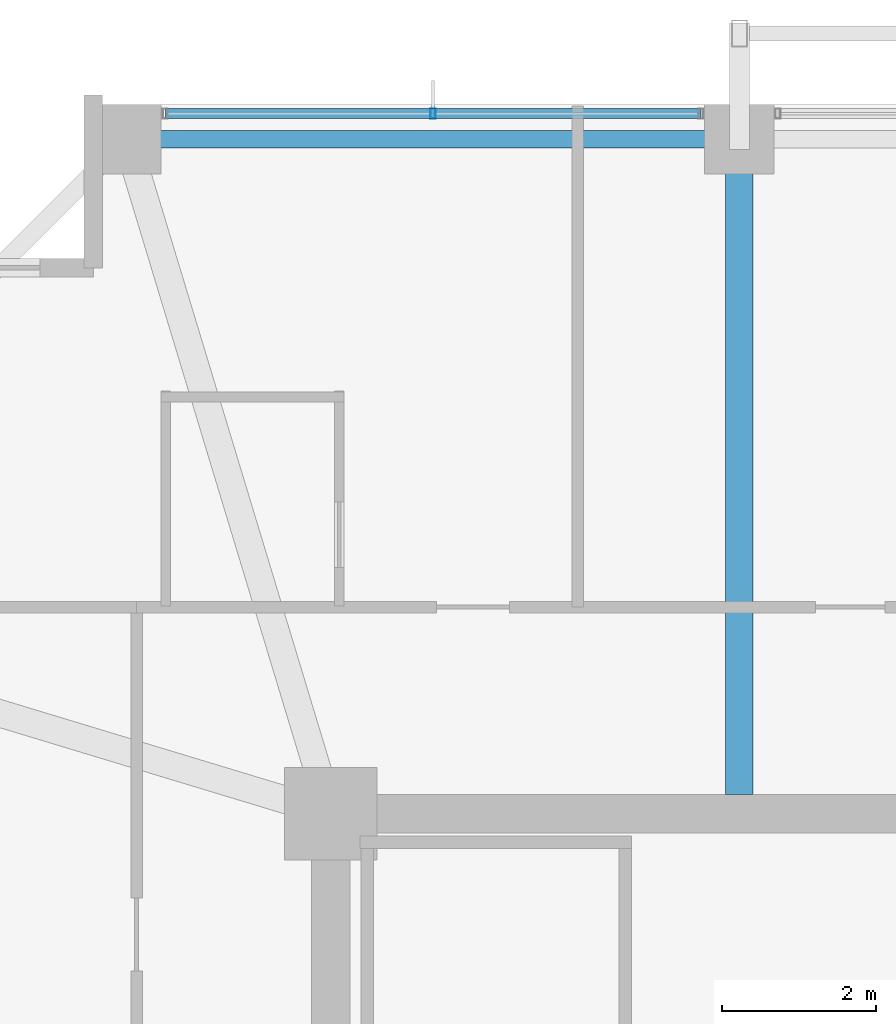
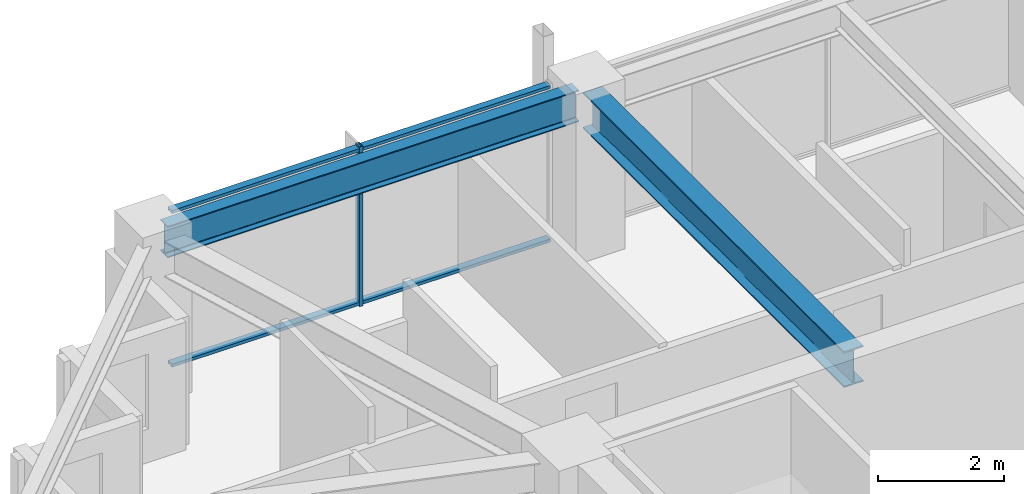
# One storey, part 20 of 37: 3 members, 2 beams, 1 element without a shape of its own.
"""IFC4 building model written with IfcOpenShell, lengths in metres."""

from ifc_helpers import new_model, si_unit, direction, frame, origin, origin_2d, place, context, subcontext, project, spatial, hollow_rectangle, i_section, extrude, material, material_profile, profile_set, type_object, element, aggregate, save


model = new_model("IFC4")

# Units and contexts
model_context = context("Model", 3, precision=1e-05, world=origin(), true_north=direction((0.0, 1.0)))
body_context = subcontext(model_context, "Body", "Model", "MODEL_VIEW")
ifc_project = project(units=[si_unit("LENGTHUNIT", "METRE"), si_unit("AREAUNIT", "SQUARE_METRE"), si_unit("VOLUMEUNIT", "CUBIC_METRE"), si_unit("PLANEANGLEUNIT", "RADIAN"), si_unit("MASSUNIT", "GRAM", prefix="KILO")], contexts=[model_context])

# Site, building, storey
site_placement = place(None, origin())
site = spatial("IfcSite", under=ifc_project, at=site_placement, CompositionType="ELEMENT")
building_placement = place(site_placement, origin())
building = spatial("IfcBuilding", under=site, at=building_placement, Name="Kolvaren Belvedere", CompositionType="ELEMENT")
storey_placement = place(building_placement, frame((0.0, 0.0, 156.89990234375)))
storey = spatial("IfcBuildingStorey", under=building, at=storey_placement, Name="L45", CompositionType="ELEMENT", Elevation=156.89990234375)

# Beams
ifc_material_1 = material(Name="Structural steel ASTM A992 Grade 50", Category="steel")
ifc_material_profile_1 = material_profile(ifc_material_1, i_section(OverallWidth=0.35498046875, OverallDepth=0.696044921875, WebThickness=0.015380859375, FlangeThickness=0.02490234375, FilletRadius=0.02197265625, at=origin_2d()), Name="W27X146")
ifc_profile_set_1 = profile_set([ifc_material_profile_1], Name="Structural steel ASTM A992 Grade 50")
beam_type_1 = type_object("IfcBeamType", Name="BM-GIRD-W27X146", PredefinedType="BEAM", material=ifc_profile_set_1)
beam_1_placement = place(storey_placement, frame((-4.60009765625, 10.14990234375, 2.752197265625), z_axis=(0.0, 1.0, 0.0), x_axis=(-1.0, 0.0, 0.0)))
element("IfcBeam", 1, at=beam_1_placement, inside=storey, type_object=beam_type_1, Name="L45 North Radial Girder M", PredefinedType="BEAM", context=body_context, shape_type="SweptSolid", body=[
    extrude(i_section(OverallWidth=0.35498046875, OverallDepth=0.696044921875, WebThickness=0.015380859375, FlangeThickness=0.02490234375, FilletRadius=0.02197265625, at=origin_2d()), origin(), (0.0, 0.0, 1.0), 8.297607421875),
])
ifc_material_2 = material(Name="Structural steel ASTM A992 Grade 50", Category="steel")
ifc_material_profile_2 = material_profile(ifc_material_2, i_section(OverallWidth=0.22900390625, OverallDepth=0.612060546875, WebThickness=0.011962890625, FlangeThickness=0.01953125, FilletRadius=0.01806640625, at=origin_2d()), Name="W24X84")
ifc_profile_set_2 = profile_set([ifc_material_profile_2], Name="Structural steel ASTM A992 Grade 50")
beam_type_2 = type_object("IfcBeamType", Name="BM-SPAN-W24X84", PredefinedType="SPANDREL", material=ifc_profile_set_2)
beam_2_placement = place(storey_placement, frame((-4.802490234375, 18.64990234375, 2.794189453125), z_axis=(-1.0, 0.0, 0.0), x_axis=(0.0, -1.0, 0.0)))
element("IfcBeam", 2, at=beam_2_placement, inside=storey, type_object=beam_type_2, Name="L45 Perimeter Spandrel N2-N1", PredefinedType="SPANDREL", context=body_context, shape_type="SweptSolid", body=[
    extrude(i_section(OverallWidth=0.22900390625, OverallDepth=0.612060546875, WebThickness=0.011962890625, FlangeThickness=0.01953125, FilletRadius=0.01806640625, at=origin_2d()), origin(), (0.0, 0.0, 1.0), 7.544921875),
])

# Curtain wall, members
ifc_material_3 = material(Name="Anodised pale-metal aluminium AA 6063-T6", Category="aluminium")
curtain_wall_type = type_object("IfcCurtainWallType", Name="CW-Z3-WAIST", PredefinedType="NOTDEFINED", material=ifc_material_3)
curtain_wall_placement = place(storey_placement, origin())
curtain_wall = element("IfcCurtainWall", 3, at=curtain_wall_placement, inside=storey, type_object=curtain_wall_type, Name="L45 Unitised Curtain Wall FCW-L45-N-B1", PredefinedType="NOTDEFINED")
ifc_material_4 = material(Name="Anodised pale-metal aluminium AA 6063-T6", Category="aluminium")
ifc_material_profile_3 = material_profile(ifc_material_4, hollow_rectangle(XDim=0.06494140625, YDim=0.1298828125, WallThickness=0.00390625, at=origin_2d()), Name="ALU-MUL-130X65")
ifc_profile_set_3 = profile_set([ifc_material_profile_3], Name="Anodised pale-metal aluminium AA 6063-T6")
member_type_1 = type_object("IfcMemberType", Name="CW-MUL-130", PredefinedType="MULLION", material=ifc_profile_set_3)
member_1_placement = place(storey_placement, frame((-8.574951171875, 18.97998046875, 0.0), z_axis=(0.0, 0.0, 1.0), x_axis=(1.0, 0.0, 0.0)))
member_1 = element("IfcMember", 4, at=member_1_placement, type_object=member_type_1, Name="FCW-L45-N-B1 Unitised Mullion 2", PredefinedType="MULLION", context=body_context, shape_type="SweptSolid", body=[
    extrude(hollow_rectangle(XDim=0.06494140625, YDim=0.1298828125, WallThickness=0.00390625, at=origin_2d()), origin(), (0.0, 0.0, 1.0), 3.10009765625),
])
ifc_material_5 = material(Name="Anodised pale-metal aluminium AA 6063-T6", Category="aluminium")
ifc_material_profile_4 = material_profile(ifc_material_5, hollow_rectangle(XDim=0.06005859375, YDim=0.1298828125, WallThickness=0.00390625, at=origin_2d()), Name="ALU-TRN-130X60")
ifc_profile_set_4 = profile_set([ifc_material_profile_4], Name="Anodised pale-metal aluminium AA 6063-T6")
member_type_2 = type_object("IfcMemberType", Name="CW-TRN-130", PredefinedType="USERDEFINED", material=ifc_profile_set_4)
member_2_placement = place(storey_placement, frame((-12.047607421875, 18.97998046875, 0.06005859375), z_axis=(1.0, 0.0, 0.0), x_axis=(0.0, 0.0, 1.0)))
member_2 = element("IfcMember", 5, at=member_2_placement, type_object=member_type_2, Name="FCW-L45-N-B1 Sill Transom", ObjectType="TRANSOM", PredefinedType="USERDEFINED", context=body_context, shape_type="SweptSolid", body=[
    extrude(hollow_rectangle(XDim=0.06005859375, YDim=0.1298828125, WallThickness=0.00390625, at=origin_2d()), origin(), (0.0, 0.0, 1.0), 6.945068359375),
])
member_3_placement = place(storey_placement, frame((-12.047607421875, 18.97998046875, 3.0400390625), z_axis=(1.0, 0.0, 0.0), x_axis=(0.0, 0.0, 1.0)))
member_3 = element("IfcMember", 6, at=member_3_placement, type_object=member_type_2, Name="FCW-L45-N-B1 Head Transom", ObjectType="TRANSOM", PredefinedType="USERDEFINED", context=body_context, shape_type="SweptSolid", body=[
    extrude(hollow_rectangle(XDim=0.06005859375, YDim=0.1298828125, WallThickness=0.00390625, at=origin_2d()), origin(), (0.0, 0.0, 1.0), 6.945068359375),
])
aggregate(curtain_wall, [member_1, member_2, member_3])

save(model, "model.ifc")
